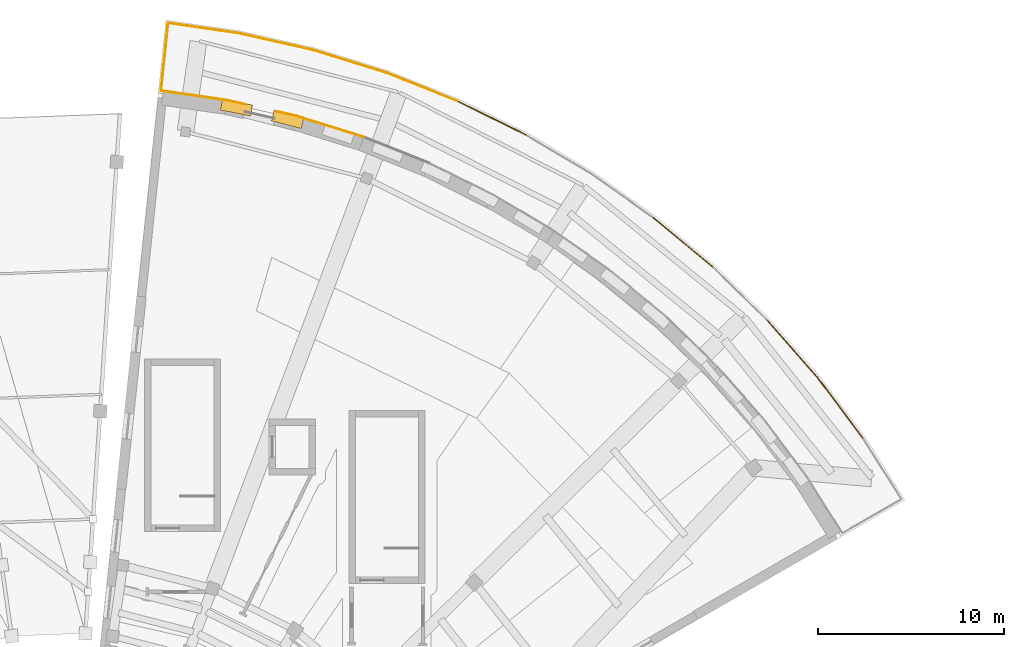
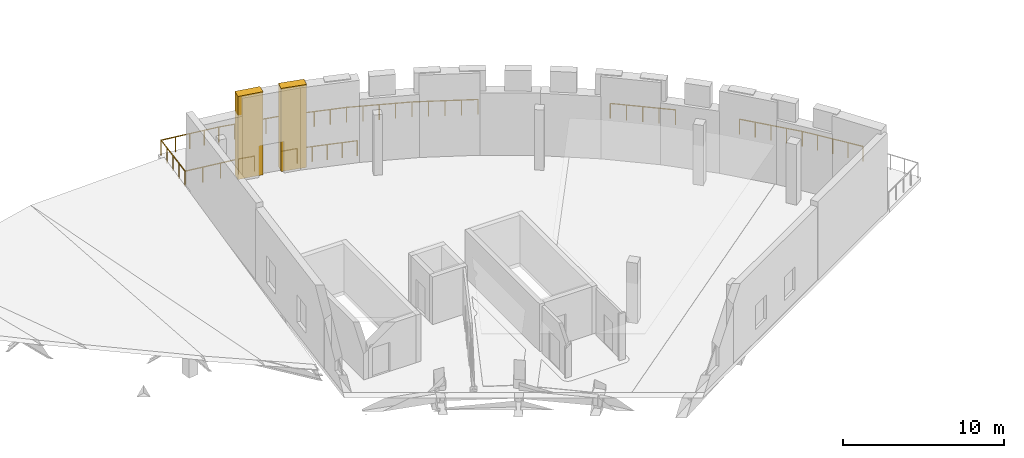
# One storey, part 27 of 27: 13 railings, 2 coverings.
"""IFC4 building model written with IfcOpenShell, lengths in metres."""

from ifc_helpers import new_model, si_unit, direction, frame, origin, origin_2d, place, context, subcontext, project, spatial, rectangle, circle, extrude, material, type_object, element, save


model = new_model("IFC4")

# Units and contexts
model_context = context("Model", 3, precision=1e-05, world=origin(), true_north=direction((0.0, 1.0)))
body_context = subcontext(model_context, "Body", "Model", "MODEL_VIEW")
ifc_project = project(units=[si_unit("LENGTHUNIT", "METRE"), si_unit("AREAUNIT", "SQUARE_METRE"), si_unit("VOLUMEUNIT", "CUBIC_METRE"), si_unit("PLANEANGLEUNIT", "RADIAN"), si_unit("MASSUNIT", "GRAM", prefix="KILO")], contexts=[model_context])

# Site, building, storey
site_placement = place(None, origin())
site = spatial("IfcSite", under=ifc_project, at=site_placement, CompositionType="ELEMENT")
building_placement = place(site_placement, origin())
building = spatial("IfcBuilding", under=site, at=building_placement, Name="Soyqirgoq Riverine Aquarium", CompositionType="ELEMENT")
storey_placement = place(building_placement, frame((0.0, 0.0, 19.800048828125)))
storey = spatial("IfcBuildingStorey", under=building, at=storey_placement, Name="L05", CompositionType="ELEMENT", Elevation=19.800048828125)

# Railings
ifc_material_1 = material(Name="Laminated safety glass and stainless steel balustrade", Category="steel")
railing_type = type_object("IfcRailingType", Name="TerraceGuard_1150", PredefinedType="BALUSTRADE", material=ifc_material_1)
railing_1_placement = place(storey_placement, frame((72.253173828125, 102.897216796875, 0.0)))
element("IfcRailing", 1, at=railing_1_placement, inside=storey, type_object=railing_type, Name="V5 L05 Terrace Perimeter Balustrade 066", PredefinedType="BALUSTRADE", context=body_context, shape_type="SweptSolid", body=[
    extrude(circle(Radius=0.02392578125, at=origin_2d()), frame((0.0, 0.0, 1.1259765625), z_axis=(-0.955013631281, 0.296561905962, 0.0), x_axis=(-0.296561905962, -0.955013631281, 0.0)), (0.0, 0.0, 1.0), 3.822998046875),
    extrude(circle(Radius=0.02099609375, at=origin_2d()), origin(), (0.0, 0.0, 1.0), 1.101806640625),
    extrude(circle(Radius=0.02099609375, at=origin_2d()), frame((-0.912841796875, 0.283447265625, 0.0)), (0.0, 0.0, 1.0), 1.101806640625),
    extrude(circle(Radius=0.02099609375, at=origin_2d()), frame((-1.82568359375, 0.56689453125, 0.0)), (0.0, 0.0, 1.0), 1.101806640625),
    extrude(circle(Radius=0.02099609375, at=origin_2d()), frame((-2.73828125, 0.850341796875, 0.0)), (0.0, 0.0, 1.0), 1.101806640625),
    extrude(circle(Radius=0.02099609375, at=origin_2d()), frame((-3.651123046875, 1.1337890625, 0.0)), (0.0, 0.0, 1.0), 1.101806640625),
])
railing_2_placement = place(storey_placement, frame((68.60205078125, 104.031005859375, 0.0)))
element("IfcRailing", 2, at=railing_2_placement, inside=storey, type_object=railing_type, Name="V5 L05 Terrace Perimeter Balustrade 067", PredefinedType="BALUSTRADE", context=body_context, shape_type="SweptSolid", body=[
    extrude(circle(Radius=0.02392578125, at=origin_2d()), frame((0.0, 0.0, 1.1259765625), z_axis=(-0.975350291824, 0.22066220392, 0.0), x_axis=(-0.22066220392, -0.975350291824, 0.0)), (0.0, 0.0, 1.0), 1.045654296875),
    extrude(circle(Radius=0.02099609375, at=origin_2d()), origin(), (0.0, 0.0, 1.0), 1.101806640625),
    extrude(circle(Radius=0.02099609375, at=origin_2d()), frame((-1.019775390625, 0.230712890625, 0.0)), (0.0, 0.0, 1.0), 1.101806640625),
])
railing_3_placement = place(storey_placement, frame((65.893798828125, 104.643798828125, 0.0)))
element("IfcRailing", 3, at=railing_3_placement, inside=storey, type_object=railing_type, Name="V5 L05 Terrace Perimeter Balustrade 068", PredefinedType="BALUSTRADE", context=body_context, shape_type="SweptSolid", body=[
    extrude(circle(Radius=0.02392578125, at=origin_2d()), frame((0.0, 0.0, 1.1259765625), z_axis=(-0.975345519678, 0.220683296249, 0.0), x_axis=(-0.220683296249, -0.975345519678, 0.0)), (0.0, 0.0, 1.0), 1.046630859375),
    extrude(circle(Radius=0.02099609375, at=origin_2d()), origin(), (0.0, 0.0, 1.0), 1.101806640625),
    extrude(circle(Radius=0.02099609375, at=origin_2d()), frame((-1.020751953125, 0.23095703125, 0.0)), (0.0, 0.0, 1.0), 1.101806640625),
])
railing_4_placement = place(storey_placement, frame((64.873046875, 104.874755859375, 0.0)))
element("IfcRailing", 4, at=railing_4_placement, inside=storey, type_object=railing_type, Name="V5 L05 Terrace Perimeter Balustrade 069", PredefinedType="BALUSTRADE", context=body_context, shape_type="SweptSolid", body=[
    extrude(circle(Radius=0.02392578125, at=origin_2d()), frame((0.0, 0.0, 1.1259765625), z_axis=(-0.989650756654, 0.143496968099, 0.0), x_axis=(-0.143496968099, -0.989650756654, 0.0)), (0.0, 0.0, 1.0), 3.57275390625),
    extrude(circle(Radius=0.02099609375, at=origin_2d()), origin(), (0.0, 0.0, 1.0), 1.101806640625),
    extrude(circle(Radius=0.02099609375, at=origin_2d()), frame((-1.1787109375, 0.1708984375, 0.0)), (0.0, 0.0, 1.0), 1.101806640625),
    extrude(circle(Radius=0.02099609375, at=origin_2d()), frame((-2.357177734375, 0.341796875, 0.0)), (0.0, 0.0, 1.0), 1.101806640625),
    extrude(circle(Radius=0.02099609375, at=origin_2d()), frame((-3.535888671875, 0.5126953125, 0.0)), (0.0, 0.0, 1.0), 1.101806640625),
])
railing_5_placement = place(storey_placement, frame((61.337158203125, 105.387451171875, 0.0)))
element("IfcRailing", 5, at=railing_5_placement, inside=storey, type_object=railing_type, Name="V5 L05 Terrace Perimeter Balustrade 070", PredefinedType="BALUSTRADE", context=body_context, shape_type="SweptSolid", body=[
    extrude(circle(Radius=0.02392578125, at=origin_2d()), frame((0.0, 0.0, 1.1259765625), z_axis=(0.10451509167, 0.994523300689, 0.0), x_axis=(-0.994523300689, 0.10451509167, 0.0)), (0.0, 0.0, 1.0), 3.669677734375),
    extrude(circle(Radius=0.02099609375, at=origin_2d()), origin(), (0.0, 0.0, 1.0), 1.101806640625),
    extrude(circle(Radius=0.02099609375, at=origin_2d()), frame((0.095947265625, 0.912353515625, 0.0)), (0.0, 0.0, 1.0), 1.101806640625),
    extrude(circle(Radius=0.02099609375, at=origin_2d()), frame((0.19189453125, 1.82470703125, 0.0)), (0.0, 0.0, 1.0), 1.101806640625),
    extrude(circle(Radius=0.02099609375, at=origin_2d()), frame((0.28759765625, 2.7373046875, 0.0)), (0.0, 0.0, 1.0), 1.101806640625),
    extrude(circle(Radius=0.02099609375, at=origin_2d()), frame((0.383544921875, 3.649658203125, 0.0)), (0.0, 0.0, 1.0), 1.101806640625),
])
railing_6_placement = place(storey_placement, frame((61.720703125, 109.037109375, 0.0)))
element("IfcRailing", 6, at=railing_6_placement, inside=storey, type_object=railing_type, Name="V5 L05 Terrace Perimeter Balustrade 071", PredefinedType="BALUSTRADE", context=body_context, shape_type="SweptSolid", body=[
    extrude(circle(Radius=0.02392578125, at=origin_2d()), frame((0.0, 0.0, 1.1259765625), z_axis=(0.989655265307, -0.143465869983, 0.0), x_axis=(0.143465869983, 0.989655265307, 0.0)), (0.0, 0.0, 1.0), 3.861328125),
    extrude(circle(Radius=0.02099609375, at=origin_2d()), origin(), (0.0, 0.0, 1.0), 1.101806640625),
    extrude(circle(Radius=0.02099609375, at=origin_2d()), frame((0.955322265625, -0.138427734375, 0.0)), (0.0, 0.0, 1.0), 1.101806640625),
    extrude(circle(Radius=0.02099609375, at=origin_2d()), frame((1.91064453125, -0.27685546875, 0.0)), (0.0, 0.0, 1.0), 1.101806640625),
    extrude(circle(Radius=0.02099609375, at=origin_2d()), frame((2.865966796875, -0.41552734375, 0.0)), (0.0, 0.0, 1.0), 1.101806640625),
    extrude(circle(Radius=0.02099609375, at=origin_2d()), frame((3.8212890625, -0.553955078125, 0.0)), (0.0, 0.0, 1.0), 1.101806640625),
])
railing_7_placement = place(storey_placement, frame((65.5419921875, 108.483154296875, 0.0)))
element("IfcRailing", 7, at=railing_7_placement, inside=storey, type_object=railing_type, Name="V5 L05 Terrace Perimeter Balustrade 072", PredefinedType="BALUSTRADE", context=body_context, shape_type="SweptSolid", body=[
    extrude(circle(Radius=0.02392578125, at=origin_2d()), frame((0.0, 0.0, 1.1259765625), z_axis=(0.975334289359, -0.220732924595, 0.0), x_axis=(0.220732924595, 0.975334289359, 0.0)), (0.0, 0.0, 1.0), 4.111083984375),
    extrude(circle(Radius=0.02099609375, at=origin_2d()), origin(), (0.0, 0.0, 1.0), 1.101806640625),
    extrude(circle(Radius=0.02099609375, at=origin_2d()), frame((1.00244140625, -0.226806640625, 0.0)), (0.0, 0.0, 1.0), 1.101806640625),
    extrude(circle(Radius=0.02099609375, at=origin_2d()), frame((2.0048828125, -0.45361328125, 0.0)), (0.0, 0.0, 1.0), 1.101806640625),
    extrude(circle(Radius=0.02099609375, at=origin_2d()), frame((3.00732421875, -0.6806640625, 0.0)), (0.0, 0.0, 1.0), 1.101806640625),
    extrude(circle(Radius=0.02099609375, at=origin_2d()), frame((4.009765625, -0.907470703125, 0.0)), (0.0, 0.0, 1.0), 1.101806640625),
])
railing_8_placement = place(storey_placement, frame((69.5517578125, 107.57568359375, 0.0)))
element("IfcRailing", 8, at=railing_8_placement, inside=storey, type_object=railing_type, Name="V5 L05 Terrace Perimeter Balustrade 073", PredefinedType="BALUSTRADE", context=body_context, shape_type="SweptSolid", body=[
    extrude(circle(Radius=0.02392578125, at=origin_2d()), frame((0.0, 0.0, 1.1259765625), z_axis=(0.955029929318, -0.296509416558, 0.0), x_axis=(0.296509416558, 0.955029929318, 0.0)), (0.0, 0.0, 1.0), 4.111083984375),
    extrude(circle(Radius=0.02099609375, at=origin_2d()), origin(), (0.0, 0.0, 1.0), 1.101806640625),
    extrude(circle(Radius=0.02099609375, at=origin_2d()), frame((0.9814453125, -0.3046875, 0.0)), (0.0, 0.0, 1.0), 1.101806640625),
    extrude(circle(Radius=0.02099609375, at=origin_2d()), frame((1.963134765625, -0.609375, 0.0)), (0.0, 0.0, 1.0), 1.101806640625),
    extrude(circle(Radius=0.02099609375, at=origin_2d()), frame((2.94482421875, -0.914306640625, 0.0)), (0.0, 0.0, 1.0), 1.101806640625),
    extrude(circle(Radius=0.02099609375, at=origin_2d()), frame((3.92626953125, -1.218994140625, 0.0)), (0.0, 0.0, 1.0), 1.101806640625),
])
railing_9_placement = place(storey_placement, frame((73.47802734375, 106.356689453125, 0.0)))
element("IfcRailing", 9, at=railing_9_placement, inside=storey, type_object=railing_type, Name="V5 L05 Terrace Perimeter Balustrade 074", PredefinedType="BALUSTRADE", context=body_context, shape_type="SweptSolid", body=[
    extrude(circle(Radius=0.02392578125, at=origin_2d()), frame((0.0, 0.0, 1.1259765625), z_axis=(0.928791694364, -0.37060219708, 0.0), x_axis=(0.37060219708, 0.928791694364, 0.0)), (0.0, 0.0, 1.0), 4.111328125),
    extrude(circle(Radius=0.02099609375, at=origin_2d()), origin(), (0.0, 0.0, 1.0), 1.101806640625),
    extrude(circle(Radius=0.02099609375, at=origin_2d()), frame((0.95458984375, -0.380859375, 0.0)), (0.0, 0.0, 1.0), 1.101806640625),
    extrude(circle(Radius=0.02099609375, at=origin_2d()), frame((1.9091796875, -0.76171875, 0.0)), (0.0, 0.0, 1.0), 1.101806640625),
    extrude(circle(Radius=0.02099609375, at=origin_2d()), frame((2.864013671875, -1.142822265625, 0.0)), (0.0, 0.0, 1.0), 1.101806640625),
    extrude(circle(Radius=0.02099609375, at=origin_2d()), frame((3.818603515625, -1.523681640625, 0.0)), (0.0, 0.0, 1.0), 1.101806640625),
])
railing_10_placement = place(storey_placement, frame((77.296630859375, 104.8330078125, 0.0)))
element("IfcRailing", 10, at=railing_10_placement, inside=storey, type_object=railing_type, Name="V5 L05 Terrace Perimeter Balustrade 075", PredefinedType="BALUSTRADE", context=body_context, shape_type="SweptSolid", body=[
    extrude(circle(Radius=0.02392578125, at=origin_2d()), frame((0.0, 0.0, 1.1259765625), z_axis=(0.896895716855, -0.442242097823, 0.0), x_axis=(0.442242097823, 0.896895716855, 0.0)), (0.0, 0.0, 1.0), 4.111083984375),
    extrude(circle(Radius=0.02099609375, at=origin_2d()), origin(), (0.0, 0.0, 1.0), 1.101806640625),
    extrude(circle(Radius=0.02099609375, at=origin_2d()), frame((0.921875, -0.45458984375, 0.0)), (0.0, 0.0, 1.0), 1.101806640625),
    extrude(circle(Radius=0.02099609375, at=origin_2d()), frame((1.84375, -0.9091796875, 0.0)), (0.0, 0.0, 1.0), 1.101806640625),
    extrude(circle(Radius=0.02099609375, at=origin_2d()), frame((2.765380859375, -1.363525390625, 0.0)), (0.0, 0.0, 1.0), 1.101806640625),
    extrude(circle(Radius=0.02099609375, at=origin_2d()), frame((3.687255859375, -1.818115234375, 0.0)), (0.0, 0.0, 1.0), 1.101806640625),
])
railing_11_placement = place(storey_placement, frame((87.874755859375, 98.539794921875, 0.0)))
element("IfcRailing", 11, at=railing_11_placement, inside=storey, type_object=railing_type, Name="V5 L05 Terrace Perimeter Balustrade 078", PredefinedType="BALUSTRADE", context=body_context, shape_type="SweptSolid", body=[
    extrude(circle(Radius=0.02392578125, at=origin_2d()), frame((0.0, 0.0, 1.1259765625), z_axis=(0.768839094686, -0.639442293317, 0.0), x_axis=(0.639442293317, 0.768839094686, 0.0)), (0.0, 0.0, 1.0), 4.111328125),
    extrude(circle(Radius=0.02099609375, at=origin_2d()), origin(), (0.0, 0.0, 1.0), 1.101806640625),
    extrude(circle(Radius=0.02099609375, at=origin_2d()), frame((0.790283203125, -0.6572265625, 0.0)), (0.0, 0.0, 1.0), 1.101806640625),
    extrude(circle(Radius=0.02099609375, at=origin_2d()), frame((1.58056640625, -1.314453125, 0.0)), (0.0, 0.0, 1.0), 1.101806640625),
    extrude(circle(Radius=0.02099609375, at=origin_2d()), frame((2.37060546875, -1.9716796875, 0.0)), (0.0, 0.0, 1.0), 1.101806640625),
    extrude(circle(Radius=0.02099609375, at=origin_2d()), frame((3.160888671875, -2.62890625, 0.0)), (0.0, 0.0, 1.0), 1.101806640625),
])
railing_12_placement = place(storey_placement, frame((93.980712890625, 93.042236328125, 0.0)))
element("IfcRailing", 12, at=railing_12_placement, inside=storey, type_object=railing_type, Name="V5 L05 Terrace Perimeter Balustrade 080", PredefinedType="BALUSTRADE", context=body_context, shape_type="SweptSolid", body=[
    extrude(circle(Radius=0.02392578125, at=origin_2d()), frame((0.0, 0.0, 1.1259765625), z_axis=(0.659332421763, -0.751851552909, 0.0), x_axis=(0.751851552909, 0.659332421763, 0.0)), (0.0, 0.0, 1.0), 4.111328125),
    extrude(circle(Radius=0.02099609375, at=origin_2d()), origin(), (0.0, 0.0, 1.0), 1.101806640625),
    extrude(circle(Radius=0.02099609375, at=origin_2d()), frame((0.677734375, -0.772705078125, 0.0)), (0.0, 0.0, 1.0), 1.101806640625),
    extrude(circle(Radius=0.02099609375, at=origin_2d()), frame((1.35546875, -1.54541015625, 0.0)), (0.0, 0.0, 1.0), 1.101806640625),
    extrude(circle(Radius=0.02099609375, at=origin_2d()), frame((2.032958984375, -2.318359375, 0.0)), (0.0, 0.0, 1.0), 1.101806640625),
    extrude(circle(Radius=0.02099609375, at=origin_2d()), frame((2.710693359375, -3.091064453125, 0.0)), (0.0, 0.0, 1.0), 1.101806640625),
])
railing_13_placement = place(storey_placement, frame((96.69140625, 89.951171875, 0.0)))
element("IfcRailing", 13, at=railing_13_placement, inside=storey, type_object=railing_type, Name="V5 L05 Terrace Perimeter Balustrade 081", PredefinedType="BALUSTRADE", context=body_context, shape_type="SweptSolid", body=[
    extrude(circle(Radius=0.02392578125, at=origin_2d()), frame((0.0, 0.0, 1.1259765625), z_axis=(0.598297874741, -0.80127376912, 0.0), x_axis=(0.80127376912, 0.598297874741, 0.0)), (0.0, 0.0, 1.0), 4.111083984375),
    extrude(circle(Radius=0.02099609375, at=origin_2d()), origin(), (0.0, 0.0, 1.0), 1.101806640625),
    extrude(circle(Radius=0.02099609375, at=origin_2d()), frame((0.614990234375, -0.823486328125, 0.0)), (0.0, 0.0, 1.0), 1.101806640625),
    extrude(circle(Radius=0.02099609375, at=origin_2d()), frame((1.22998046875, -1.64697265625, 0.0)), (0.0, 0.0, 1.0), 1.101806640625),
    extrude(circle(Radius=0.02099609375, at=origin_2d()), frame((1.8447265625, -2.470703125, 0.0)), (0.0, 0.0, 1.0), 1.101806640625),
    extrude(circle(Radius=0.02099609375, at=origin_2d()), frame((2.459716796875, -3.294189453125, 0.0)), (0.0, 0.0, 1.0), 1.101806640625),
])

# Coverings
ifc_material_2 = material(Name="Honed Uzbek travertine limestone vertical niche pier", Category="masonry")
covering_type = type_object("IfcCoveringType", Name="TravertineNichePier_550", PredefinedType="CLADDING", material=ifc_material_2)
for number, where, z_axis, x_axis, name in (
    (14, (68.162353515625, 103.846923828125, 0.0), (0.0, 0.0, 1.0), (0.251224776808, 0.96792877399, 0.0), "V5 L05 Travertine Vertical Niche Pier 183"),
    (15, (65.40087890625, 104.478271484375, 0.0), (0.0, 0.0, 1.0), (0.19423435122, 0.980955155349, 0.0), "V5 L05 Travertine Vertical Niche Pier 184"),
):
    element("IfcCovering", number, at=place(storey_placement, frame(where, z_axis=z_axis, x_axis=x_axis)), inside=storey, type_object=covering_type, Name=name, PredefinedType="CLADDING", context=body_context, shape_type="SweptSolid", body=[
        extrude(rectangle(XDim=0.60009765625, YDim=1.64990234375, at=origin_2d()), origin(), (0.0, 0.0, 1.0), 6.300048828125),
    ])

save(model, "model.ifc")
